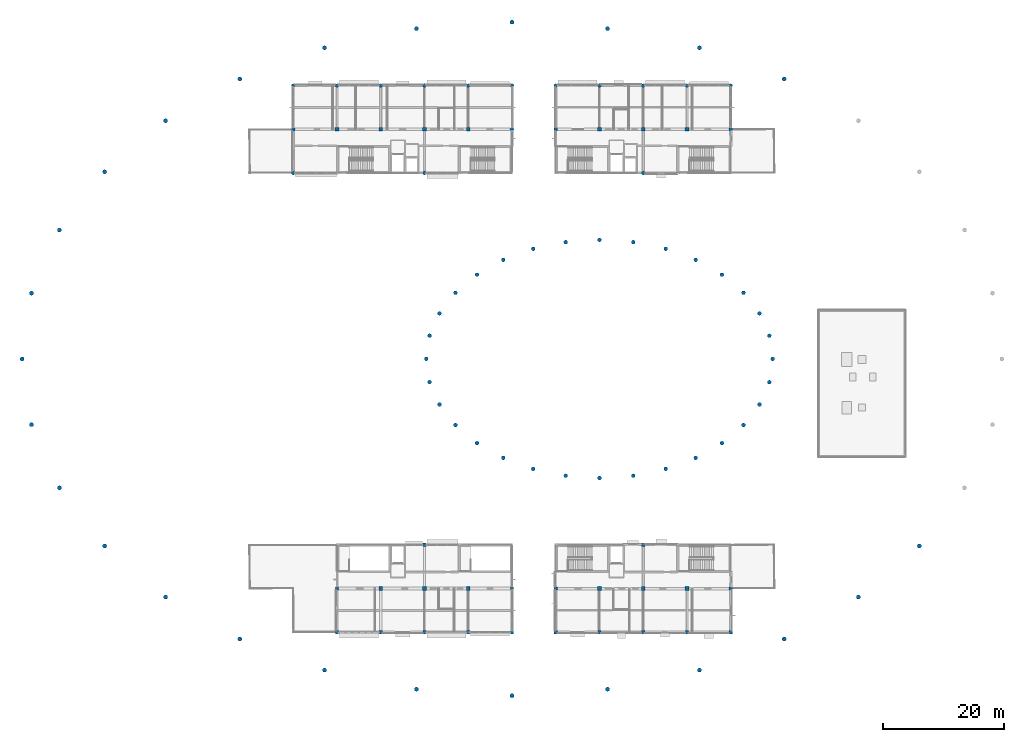
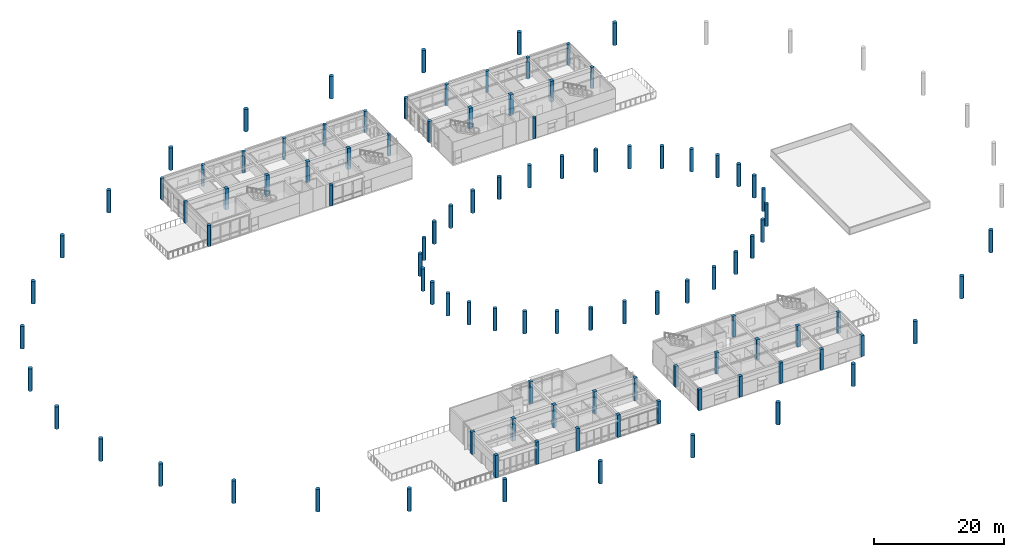
# One storey, part 1 of 41: 104 columns.
"""IFC4 building model written with IfcOpenShell, lengths in metres."""

from ifc_helpers import new_model, si_unit, direction, frame, origin, origin_2d, place, context, subcontext, project, spatial, rectangle, circle, extrude, material, material_profile, profile_set, type_object, element, save


model = new_model("IFC4")

# Units and contexts
model_context = context("Model", 3, precision=1e-05, world=origin(), true_north=direction((0.0, 1.0)))
body_context = subcontext(model_context, "Body", "Model", "MODEL_VIEW")
ifc_project = project(units=[si_unit("LENGTHUNIT", "METRE"), si_unit("AREAUNIT", "SQUARE_METRE"), si_unit("VOLUMEUNIT", "CUBIC_METRE"), si_unit("PLANEANGLEUNIT", "RADIAN"), si_unit("MASSUNIT", "GRAM", prefix="KILO")], contexts=[model_context])

# Site, building, storey
site_placement = place(None, origin())
site = spatial("IfcSite", under=ifc_project, at=site_placement, CompositionType="ELEMENT")
building_placement = place(site_placement, origin())
building = spatial("IfcBuilding", under=site, at=building_placement, Name="Namkhue Oval Health Centre", CompositionType="ELEMENT")
storey_placement = place(building_placement, frame((0.0, 0.0, 13.800048828125)))
storey = spatial("IfcBuildingStorey", under=building, at=storey_placement, Name="L03", CompositionType="ELEMENT", Elevation=13.800048828125)

# Columns
ifc_material = material(Name="Reinforced concrete C35/45 (TCVN B40)", Category="concrete")
ifc_material_profile_1 = material_profile(ifc_material, rectangle(XDim=0.550048828125, YDim=0.550048828125, at=origin_2d()), Name="RC 550x550")
ifc_profile_set_1 = profile_set([ifc_material_profile_1], Name="Reinforced concrete C35/45 (TCVN B40)")
column_type_1 = type_object("IfcColumnType", Name="RC COLUMN 550X550 EXT", PredefinedType="COLUMN", material=ifc_profile_set_1)
for number, where, z_axis, x_axis, name in (
    (1, (57.60009765625, 14.39990234375, 0.0), (0.0, 0.0, 1.0), (1.0, 0.0, 0.0), "Volume V4 L03 Column 9/C"),
    (2, (57.60009765625, 21.60009765625, 0.0), (0.0, 0.0, 1.0), (1.0, 0.0, 0.0), "Volume V4 L03 Column 9/D"),
    (3, (64.800048828125, 14.39990234375, 0.0), (0.0, 0.0, 1.0), (1.0, 0.0, 0.0), "Volume V4 L03 Column 10/C"),
    (4, (72.0, 14.39990234375, 0.0), (0.0, 0.0, 1.0), (1.0, 0.0, 0.0), "Volume V4 L03 Column 11/C"),
    (5, (72.0, 28.800048828125, 0.0), (0.0, 0.0, 1.0), (1.0, 0.0, 0.0), "Volume V4 L03 Column 11/E"),
    (6, (79.199951171875, 14.39990234375, 0.0), (0.0, 0.0, 1.0), (1.0, 0.0, 0.0), "Volume V4 L03 Column 12/C"),
    (7, (86.39990234375, 14.39990234375, 0.0), (0.0, 0.0, 1.0), (1.0, 0.0, 0.0), "Volume V4 L03 Column 13/C"),
    (8, (86.39990234375, 21.60009765625, 0.0), (0.0, 0.0, 1.0), (1.0, 0.0, 0.0), "Volume V4 L03 Column 13/D"),
):
    element("IfcColumn", number, at=place(storey_placement, frame(where, z_axis=z_axis, x_axis=x_axis)), inside=storey, type_object=column_type_1, Name=name, PredefinedType="COLUMN", context=body_context, shape_type="SweptSolid", body=[
        extrude(rectangle(XDim=0.550048828125, YDim=0.550048828125, at=origin_2d()), origin(), (0.0, 0.0, 1.0), 4.199951171875),
    ])
for number, where, z_axis, x_axis, name in (
    (9, (93.60009765625, 14.39990234375, 0.0), (0.0, 0.0, 1.0), (1.0, 0.0, 0.0), "Volume V5 L03 Column 14/C"),
    (10, (93.60009765625, 21.60009765625, 0.0), (0.0, 0.0, 1.0), (1.0, 0.0, 0.0), "Volume V5 L03 Column 14/D"),
    (11, (100.800048828125, 14.39990234375, 0.0), (0.0, 0.0, 1.0), (1.0, 0.0, 0.0), "Volume V5 L03 Column 15/C"),
    (12, (108.0, 14.39990234375, 0.0), (0.0, 0.0, 1.0), (1.0, 0.0, 0.0), "Volume V5 L03 Column 16/C"),
    (13, (108.0, 28.800048828125, 0.0), (0.0, 0.0, 1.0), (1.0, 0.0, 0.0), "Volume V5 L03 Column 16/E"),
    (14, (115.199951171875, 14.39990234375, 0.0), (0.0, 0.0, 1.0), (1.0, 0.0, 0.0), "Volume V5 L03 Column 17/C"),
):
    element("IfcColumn", number, at=place(storey_placement, frame(where, z_axis=z_axis, x_axis=x_axis)), inside=storey, type_object=column_type_1, Name=name, PredefinedType="COLUMN", context=body_context, shape_type="SweptSolid", body=[
        extrude(rectangle(XDim=0.550048828125, YDim=0.550048828125, at=origin_2d()), origin(), (0.0, 0.0, 1.0), 3.8798828125),
    ])
column_1_placement = place(storey_placement, frame((122.39990234375, 14.39990234375, 0.0), z_axis=(0.0, 0.0, 1.0), x_axis=(1.0, 0.0, 0.0)))
element("IfcColumn", 15, at=column_1_placement, inside=storey, type_object=column_type_1, Name="Volume V5 L03 Column 18/C", PredefinedType="COLUMN", context=body_context, shape_type="SweptSolid", body=[
    extrude(rectangle(XDim=0.550048828125, YDim=0.550048828125, at=origin_2d()), origin(), (0.0, 0.0, 1.0), 3.927978515625),
])
column_2_placement = place(storey_placement, frame((122.39990234375, 21.60009765625, 0.0), z_axis=(0.0, 0.0, 1.0), x_axis=(1.0, 0.0, 0.0)))
element("IfcColumn", 16, at=column_2_placement, inside=storey, type_object=column_type_1, Name="Volume V5 L03 Column 18/D", PredefinedType="COLUMN", context=body_context, shape_type="SweptSolid", body=[
    extrude(rectangle(XDim=0.550048828125, YDim=0.550048828125, at=origin_2d()), origin(), (0.0, 0.0, 1.0), 3.8798828125),
])
ifc_material_profile_2 = material_profile(ifc_material, rectangle(XDim=0.60009765625, YDim=0.60009765625, at=origin_2d()), Name="RC 600x600")
ifc_profile_set_2 = profile_set([ifc_material_profile_2], Name="Reinforced concrete C35/45 (TCVN B40)")
column_type_2 = type_object("IfcColumnType", Name="RC COLUMN 600X600 INT", PredefinedType="COLUMN", material=ifc_profile_set_2)
for number, where, z_axis, x_axis, name in (
    (17, (57.60009765625, 97.199951171875, 0.0), (0.0, 0.0, 1.0), (1.0, 0.0, 0.0), "Volume V2 L03 Column 9/O"),
    (18, (64.800048828125, 97.199951171875, 0.0), (0.0, 0.0, 1.0), (1.0, 0.0, 0.0), "Volume V2 L03 Column 10/O"),
    (19, (72.0, 97.199951171875, 0.0), (0.0, 0.0, 1.0), (1.0, 0.0, 0.0), "Volume V2 L03 Column 11/O"),
    (20, (79.199951171875, 97.199951171875, 0.0), (0.0, 0.0, 1.0), (1.0, 0.0, 0.0), "Volume V2 L03 Column 12/O"),
):
    element("IfcColumn", number, at=place(storey_placement, frame(where, z_axis=z_axis, x_axis=x_axis)), inside=storey, type_object=column_type_2, Name=name, PredefinedType="COLUMN", context=body_context, shape_type="SweptSolid", body=[
        extrude(rectangle(XDim=0.60009765625, YDim=0.60009765625, at=origin_2d()), origin(), (0.0, 0.0, 1.0), 3.945068359375),
    ])
for number, where, z_axis, x_axis, name in (
    (21, (100.800048828125, 97.199951171875, 0.0), (0.0, 0.0, 1.0), (1.0, 0.0, 0.0), "Volume V3 L03 Column 15/O"),
    (22, (108.0, 97.199951171875, 0.0), (0.0, 0.0, 1.0), (1.0, 0.0, 0.0), "Volume V3 L03 Column 16/O"),
    (23, (115.199951171875, 97.199951171875, 0.0), (0.0, 0.0, 1.0), (1.0, 0.0, 0.0), "Volume V3 L03 Column 17/O"),
):
    element("IfcColumn", number, at=place(storey_placement, frame(where, z_axis=z_axis, x_axis=x_axis)), inside=storey, type_object=column_type_2, Name=name, PredefinedType="COLUMN", context=body_context, shape_type="SweptSolid", body=[
        extrude(rectangle(XDim=0.60009765625, YDim=0.60009765625, at=origin_2d()), origin(), (0.0, 0.0, 1.0), 3.919921875),
    ])
for number, where, z_axis, x_axis, name in (
    (24, (64.800048828125, 21.60009765625, 0.0), (0.0, 0.0, 1.0), (1.0, 0.0, 0.0), "Volume V4 L03 Column 10/D"),
    (25, (72.0, 21.60009765625, 0.0), (0.0, 0.0, 1.0), (1.0, 0.0, 0.0), "Volume V4 L03 Column 11/D"),
    (26, (79.199951171875, 21.60009765625, 0.0), (0.0, 0.0, 1.0), (1.0, 0.0, 0.0), "Volume V4 L03 Column 12/D"),
):
    element("IfcColumn", number, at=place(storey_placement, frame(where, z_axis=z_axis, x_axis=x_axis)), inside=storey, type_object=column_type_2, Name=name, PredefinedType="COLUMN", context=body_context, shape_type="SweptSolid", body=[
        extrude(rectangle(XDim=0.60009765625, YDim=0.60009765625, at=origin_2d()), origin(), (0.0, 0.0, 1.0), 4.199951171875),
    ])
for number, where, z_axis, x_axis, name in (
    (27, (100.800048828125, 21.60009765625, 0.0), (0.0, 0.0, 1.0), (1.0, 0.0, 0.0), "Volume V5 L03 Column 15/D"),
    (28, (108.0, 21.60009765625, 0.0), (0.0, 0.0, 1.0), (1.0, 0.0, 0.0), "Volume V5 L03 Column 16/D"),
    (29, (115.199951171875, 21.60009765625, 0.0), (0.0, 0.0, 1.0), (1.0, 0.0, 0.0), "Volume V5 L03 Column 17/D"),
):
    element("IfcColumn", number, at=place(storey_placement, frame(where, z_axis=z_axis, x_axis=x_axis)), inside=storey, type_object=column_type_2, Name=name, PredefinedType="COLUMN", context=body_context, shape_type="SweptSolid", body=[
        extrude(rectangle(XDim=0.60009765625, YDim=0.60009765625, at=origin_2d()), origin(), (0.0, 0.0, 1.0), 3.8798828125),
    ])
ifc_material_profile_3 = material_profile(ifc_material, circle(Radius=0.300048828125, at=origin_2d()), Name="RC D600")
ifc_profile_set_3 = profile_set([ifc_material_profile_3], Name="Reinforced concrete C35/45 (TCVN B40)")
column_type_3 = type_object("IfcColumnType", Name="RC COLUMN D600 EXT", PredefinedType="COLUMN", material=ifc_profile_set_3)
for number, where, z_axis, x_axis, name in (
    (30, (50.39990234375, 90.0, 0.0), (0.0, 0.0, 1.0), (1.0, 0.0, 0.0), "Volume V2 L03 Column 8/N"),
    (31, (50.39990234375, 97.199951171875, 0.0), (0.0, 0.0, 1.0), (1.0, 0.0, 0.0), "Volume V2 L03 Column 8/O"),
):
    element("IfcColumn", number, at=place(storey_placement, frame(where, z_axis=z_axis, x_axis=x_axis)), inside=storey, type_object=column_type_3, Name=name, PredefinedType="COLUMN", context=body_context, shape_type="SweptSolid", body=[
        extrude(circle(Radius=0.300048828125, at=origin_2d()), origin(), (0.0, 0.0, 1.0), 3.945068359375),
    ])
column_3_placement = place(storey_placement, frame((50.39990234375, 104.39990234375, 0.0), z_axis=(0.0, 0.0, 1.0), x_axis=(1.0, 0.0, 0.0)))
element("IfcColumn", 32, at=column_3_placement, inside=storey, type_object=column_type_3, Name="Volume V2 L03 Column 8/P", PredefinedType="COLUMN", context=body_context, shape_type="SweptSolid", body=[
    extrude(circle(Radius=0.300048828125, at=origin_2d()), origin(), (0.0, 0.0, 1.0), 3.971923828125),
])
for number, where, z_axis, x_axis, name in (
    (33, (57.60009765625, 104.39990234375, 0.0), (0.0, 0.0, 1.0), (1.0, 0.0, 0.0), "Volume V2 L03 Column 9/P"),
    (34, (64.800048828125, 104.39990234375, 0.0), (0.0, 0.0, 1.0), (1.0, 0.0, 0.0), "Volume V2 L03 Column 10/P"),
    (35, (72.0, 90.0, 0.0), (0.0, 0.0, 1.0), (1.0, 0.0, 0.0), "Volume V2 L03 Column 11/N"),
    (36, (72.0, 104.39990234375, 0.0), (0.0, 0.0, 1.0), (1.0, 0.0, 0.0), "Volume V2 L03 Column 11/P"),
    (37, (79.199951171875, 104.39990234375, 0.0), (0.0, 0.0, 1.0), (1.0, 0.0, 0.0), "Volume V2 L03 Column 12/P"),
    (38, (86.39990234375, 97.199951171875, 0.0), (0.0, 0.0, 1.0), (1.0, 0.0, 0.0), "Volume V2 L03 Column 13/O"),
    (39, (86.39990234375, 104.39990234375, 0.0), (0.0, 0.0, 1.0), (1.0, 0.0, 0.0), "Volume V2 L03 Column 13/P"),
):
    element("IfcColumn", number, at=place(storey_placement, frame(where, z_axis=z_axis, x_axis=x_axis)), inside=storey, type_object=column_type_3, Name=name, PredefinedType="COLUMN", context=body_context, shape_type="SweptSolid", body=[
        extrude(circle(Radius=0.300048828125, at=origin_2d()), origin(), (0.0, 0.0, 1.0), 3.945068359375),
    ])
for number, where, z_axis, x_axis, name in (
    (40, (93.60009765625, 97.199951171875, 0.0), (0.0, 0.0, 1.0), (1.0, 0.0, 0.0), "Volume V3 L03 Column 14/O"),
    (41, (93.60009765625, 104.39990234375, 0.0), (0.0, 0.0, 1.0), (1.0, 0.0, 0.0), "Volume V3 L03 Column 14/P"),
    (42, (100.800048828125, 104.39990234375, 0.0), (0.0, 0.0, 1.0), (1.0, 0.0, 0.0), "Volume V3 L03 Column 15/P"),
    (43, (108.0, 90.0, 0.0), (0.0, 0.0, 1.0), (1.0, 0.0, 0.0), "Volume V3 L03 Column 16/N"),
    (44, (108.0, 104.39990234375, 0.0), (0.0, 0.0, 1.0), (1.0, 0.0, 0.0), "Volume V3 L03 Column 16/P"),
    (45, (115.199951171875, 104.39990234375, 0.0), (0.0, 0.0, 1.0), (1.0, 0.0, 0.0), "Volume V3 L03 Column 17/P"),
    (46, (122.39990234375, 97.199951171875, 0.0), (0.0, 0.0, 1.0), (1.0, 0.0, 0.0), "Volume V3 L03 Column 18/O"),
    (47, (122.39990234375, 104.39990234375, 0.0), (0.0, 0.0, 1.0), (1.0, 0.0, 0.0), "Volume V3 L03 Column 18/P"),
):
    element("IfcColumn", number, at=place(storey_placement, frame(where, z_axis=z_axis, x_axis=x_axis)), inside=storey, type_object=column_type_3, Name=name, PredefinedType="COLUMN", context=body_context, shape_type="SweptSolid", body=[
        extrude(circle(Radius=0.300048828125, at=origin_2d()), origin(), (0.0, 0.0, 1.0), 3.919921875),
    ])
ifc_material_profile_4 = material_profile(ifc_material, circle(Radius=0.324951171875, at=origin_2d()), Name="RC D650")
ifc_profile_set_4 = profile_set([ifc_material_profile_4], Name="Reinforced concrete C35/45 (TCVN B40)")
column_type_4 = type_object("IfcColumnType", Name="RC COLUMN D650 EXT", PredefinedType="COLUMN", material=ifc_profile_set_4)
for number, where, z_axis, x_axis, name in (
    (48, (129.31201171875, 59.39990234375, 0.0), (0.0, 0.0, 1.0), (1.0, 0.0, 0.0), "Gridshell IR Colonnade Column 1 L03"),
    (49, (128.76416015625, 63.22412109375, 0.0), (0.0, 0.0, 1.0), (1.0, 0.0, 0.0), "Gridshell IR Colonnade Column 2 L03"),
    (50, (127.1416015625, 66.9013671875, 0.0), (0.0, 0.0, 1.0), (1.0, 0.0, 0.0), "Gridshell IR Colonnade Column 3 L03"),
    (51, (124.5068359375, 70.290283203125, 0.0), (0.0, 0.0, 1.0), (1.0, 0.0, 0.0), "Gridshell IR Colonnade Column 4 L03"),
    (52, (120.9609375, 73.2607421875, 0.0), (0.0, 0.0, 1.0), (1.0, 0.0, 0.0), "Gridshell IR Colonnade Column 5 L03"),
    (53, (116.640380859375, 75.698486328125, 0.0), (0.0, 0.0, 1.0), (1.0, 0.0, 0.0), "Gridshell IR Colonnade Column 6 L03"),
    (54, (111.711181640625, 77.509765625, 0.0), (0.0, 0.0, 1.0), (1.0, 0.0, 0.0), "Gridshell IR Colonnade Column 7 L03"),
    (55, (106.3623046875, 78.625244140625, 0.0), (0.0, 0.0, 1.0), (1.0, 0.0, 0.0), "Gridshell IR Colonnade Column 8 L03"),
    (56, (100.800048828125, 79.001953125, 0.0), (0.0, 0.0, 1.0), (1.0, 0.0, 0.0), "Gridshell IR Colonnade Column 9 L03"),
    (57, (95.237548828125, 78.625244140625, 0.0), (0.0, 0.0, 1.0), (1.0, 0.0, 0.0), "Gridshell IR Colonnade Column 10 L03"),
    (58, (89.888916015625, 77.509765625, 0.0), (0.0, 0.0, 1.0), (1.0, 0.0, 0.0), "Gridshell IR Colonnade Column 11 L03"),
    (59, (84.95947265625, 75.698486328125, 0.0), (0.0, 0.0, 1.0), (1.0, 0.0, 0.0), "Gridshell IR Colonnade Column 12 L03"),
    (60, (80.638916015625, 73.2607421875, 0.0), (0.0, 0.0, 1.0), (1.0, 0.0, 0.0), "Gridshell IR Colonnade Column 13 L03"),
    (61, (77.093017578125, 70.290283203125, 0.0), (0.0, 0.0, 1.0), (1.0, 0.0, 0.0), "Gridshell IR Colonnade Column 14 L03"),
    (62, (74.458251953125, 66.9013671875, 0.0), (0.0, 0.0, 1.0), (1.0, 0.0, 0.0), "Gridshell IR Colonnade Column 15 L03"),
    (63, (72.8359375, 63.22412109375, 0.0), (0.0, 0.0, 1.0), (1.0, 0.0, 0.0), "Gridshell IR Colonnade Column 16 L03"),
    (64, (72.2880859375, 59.39990234375, 0.0), (0.0, 0.0, 1.0), (1.0, 0.0, 0.0), "Gridshell IR Colonnade Column 17 L03"),
    (65, (72.8359375, 55.575927734375, 0.0), (0.0, 0.0, 1.0), (1.0, 0.0, 0.0), "Gridshell IR Colonnade Column 18 L03"),
    (66, (74.458251953125, 51.898681640625, 0.0), (0.0, 0.0, 1.0), (1.0, 0.0, 0.0), "Gridshell IR Colonnade Column 19 L03"),
    (67, (77.093017578125, 48.509765625, 0.0), (0.0, 0.0, 1.0), (1.0, 0.0, 0.0), "Gridshell IR Colonnade Column 20 L03"),
    (68, (80.638916015625, 45.539306640625, 0.0), (0.0, 0.0, 1.0), (1.0, 0.0, 0.0), "Gridshell IR Colonnade Column 21 L03"),
    (69, (84.95947265625, 43.1015625, 0.0), (0.0, 0.0, 1.0), (1.0, 0.0, 0.0), "Gridshell IR Colonnade Column 22 L03"),
    (70, (89.888916015625, 41.2900390625, 0.0), (0.0, 0.0, 1.0), (1.0, 0.0, 0.0), "Gridshell IR Colonnade Column 23 L03"),
    (71, (95.237548828125, 40.174560546875, 0.0), (0.0, 0.0, 1.0), (1.0, 0.0, 0.0), "Gridshell IR Colonnade Column 24 L03"),
    (72, (100.800048828125, 39.798095703125, 0.0), (0.0, 0.0, 1.0), (1.0, 0.0, 0.0), "Gridshell IR Colonnade Column 25 L03"),
    (73, (106.3623046875, 40.174560546875, 0.0), (0.0, 0.0, 1.0), (1.0, 0.0, 0.0), "Gridshell IR Colonnade Column 26 L03"),
    (74, (111.711181640625, 41.2900390625, 0.0), (0.0, 0.0, 1.0), (1.0, 0.0, 0.0), "Gridshell IR Colonnade Column 27 L03"),
    (75, (116.640380859375, 43.1015625, 0.0), (0.0, 0.0, 1.0), (1.0, 0.0, 0.0), "Gridshell IR Colonnade Column 28 L03"),
    (76, (120.9609375, 45.539306640625, 0.0), (0.0, 0.0, 1.0), (1.0, 0.0, 0.0), "Gridshell IR Colonnade Column 29 L03"),
    (77, (124.5068359375, 48.509765625, 0.0), (0.0, 0.0, 1.0), (1.0, 0.0, 0.0), "Gridshell IR Colonnade Column 30 L03"),
    (78, (127.1416015625, 51.898681640625, 0.0), (0.0, 0.0, 1.0), (1.0, 0.0, 0.0), "Gridshell IR Colonnade Column 31 L03"),
    (79, (128.76416015625, 55.575927734375, 0.0), (0.0, 0.0, 1.0), (1.0, 0.0, 0.0), "Gridshell IR Colonnade Column 32 L03"),
):
    element("IfcColumn", number, at=place(storey_placement, frame(where, z_axis=z_axis, x_axis=x_axis)), inside=storey, type_object=column_type_4, Name=name, PredefinedType="COLUMN", context=body_context, shape_type="SweptSolid", body=[
        extrude(circle(Radius=0.324951171875, at=origin_2d()), origin(), (0.0, 0.0, 1.0), 4.199951171875),
    ])
ifc_material_profile_5 = material_profile(ifc_material, circle(Radius=0.35009765625, at=origin_2d()), Name="RC D700")
ifc_profile_set_5 = profile_set([ifc_material_profile_5], Name="Reinforced concrete C35/45 (TCVN B40)")
column_type_5 = type_object("IfcColumnType", Name="RC COLUMN D700 EXT", PredefinedType="COLUMN", material=ifc_profile_set_5)
for number, where, z_axis, x_axis, name in (
    (80, (131.201171875, 105.49658203125, 0.0), (0.0, 0.0, 1.0), (1.0, 0.0, 0.0), "Gridshell OR Colonnade Column 6 L03"),
    (81, (117.259521484375, 110.619873046875, 0.0), (0.0, 0.0, 1.0), (1.0, 0.0, 0.0), "Gridshell OR Colonnade Column 7 L03"),
    (82, (102.132080078125, 113.774658203125, 0.0), (0.0, 0.0, 1.0), (1.0, 0.0, 0.0), "Gridshell OR Colonnade Column 8 L03"),
    (83, (86.39990234375, 114.840087890625, 0.0), (0.0, 0.0, 1.0), (1.0, 0.0, 0.0), "Gridshell OR Colonnade Column 9 L03"),
    (84, (70.66796875, 113.774658203125, 0.0), (0.0, 0.0, 1.0), (1.0, 0.0, 0.0), "Gridshell OR Colonnade Column 10 L03"),
    (85, (55.54052734375, 110.619873046875, 0.0), (0.0, 0.0, 1.0), (1.0, 0.0, 0.0), "Gridshell OR Colonnade Column 11 L03"),
    (86, (41.598876953125, 105.49658203125, 0.0), (0.0, 0.0, 1.0), (1.0, 0.0, 0.0), "Gridshell OR Colonnade Column 12 L03"),
    (87, (29.37890625, 98.60205078125, 0.0), (0.0, 0.0, 1.0), (1.0, 0.0, 0.0), "Gridshell OR Colonnade Column 13 L03"),
    (88, (19.350341796875, 90.200927734375, 0.0), (0.0, 0.0, 1.0), (1.0, 0.0, 0.0), "Gridshell OR Colonnade Column 14 L03"),
    (89, (11.8984375, 80.615966796875, 0.0), (0.0, 0.0, 1.0), (1.0, 0.0, 0.0), "Gridshell OR Colonnade Column 15 L03"),
    (90, (7.3095703125, 70.2158203125, 0.0), (0.0, 0.0, 1.0), (1.0, 0.0, 0.0), "Gridshell OR Colonnade Column 16 L03"),
    (91, (5.760009765625, 59.39990234375, 0.0), (0.0, 0.0, 1.0), (1.0, 0.0, 0.0), "Gridshell OR Colonnade Column 17 L03"),
    (92, (7.3095703125, 48.584228515625, 0.0), (0.0, 0.0, 1.0), (1.0, 0.0, 0.0), "Gridshell OR Colonnade Column 18 L03"),
    (93, (11.8984375, 38.18408203125, 0.0), (0.0, 0.0, 1.0), (1.0, 0.0, 0.0), "Gridshell OR Colonnade Column 19 L03"),
    (94, (19.350341796875, 28.59912109375, 0.0), (0.0, 0.0, 1.0), (1.0, 0.0, 0.0), "Gridshell OR Colonnade Column 20 L03"),
    (95, (29.37890625, 20.197998046875, 0.0), (0.0, 0.0, 1.0), (1.0, 0.0, 0.0), "Gridshell OR Colonnade Column 21 L03"),
    (96, (41.598876953125, 13.30322265625, 0.0), (0.0, 0.0, 1.0), (1.0, 0.0, 0.0), "Gridshell OR Colonnade Column 22 L03"),
    (97, (55.54052734375, 8.18017578125, 0.0), (0.0, 0.0, 1.0), (1.0, 0.0, 0.0), "Gridshell OR Colonnade Column 23 L03"),
    (98, (70.66796875, 5.025146484375, 0.0), (0.0, 0.0, 1.0), (1.0, 0.0, 0.0), "Gridshell OR Colonnade Column 24 L03"),
    (99, (86.39990234375, 3.9599609375, 0.0), (0.0, 0.0, 1.0), (1.0, 0.0, 0.0), "Gridshell OR Colonnade Column 25 L03"),
    (100, (102.132080078125, 5.025146484375, 0.0), (0.0, 0.0, 1.0), (1.0, 0.0, 0.0), "Gridshell OR Colonnade Column 26 L03"),
    (101, (117.259521484375, 8.18017578125, 0.0), (0.0, 0.0, 1.0), (1.0, 0.0, 0.0), "Gridshell OR Colonnade Column 27 L03"),
    (102, (131.201171875, 13.30322265625, 0.0), (0.0, 0.0, 1.0), (1.0, 0.0, 0.0), "Gridshell OR Colonnade Column 28 L03"),
    (103, (143.421142578125, 20.197998046875, 0.0), (0.0, 0.0, 1.0), (1.0, 0.0, 0.0), "Gridshell OR Colonnade Column 29 L03"),
    (104, (153.44970703125, 28.59912109375, 0.0), (0.0, 0.0, 1.0), (1.0, 0.0, 0.0), "Gridshell OR Colonnade Column 30 L03"),
):
    element("IfcColumn", number, at=place(storey_placement, frame(where, z_axis=z_axis, x_axis=x_axis)), inside=storey, type_object=column_type_5, Name=name, PredefinedType="COLUMN", context=body_context, shape_type="SweptSolid", body=[
        extrude(circle(Radius=0.35009765625, at=origin_2d()), origin(), (0.0, 0.0, 1.0), 4.199951171875),
    ])

save(model, "model.ifc")
